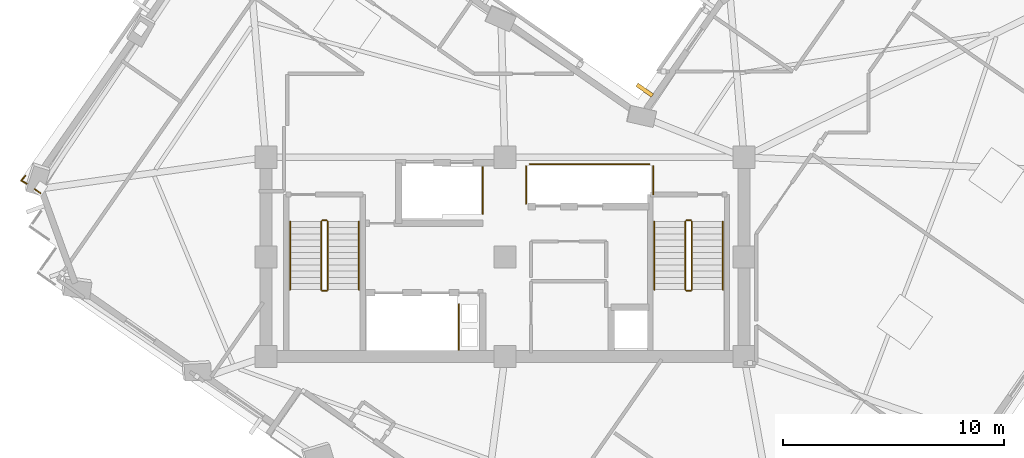
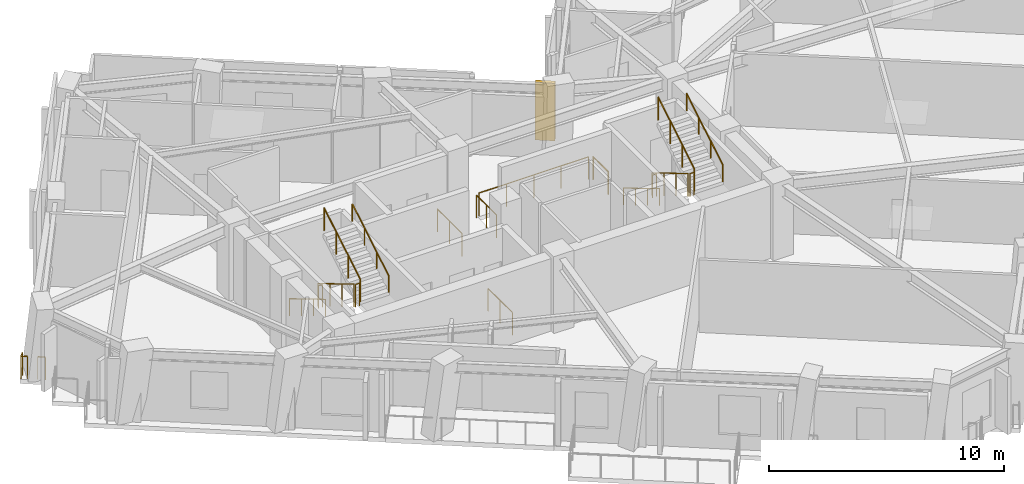
# One storey, part 9 of 12: 19 railings, 1 shading device.
"""IFC4 building model written with IfcOpenShell, lengths in metres."""

from ifc_helpers import new_model, si_unit, direction, frame, origin, origin_2d, place, context, subcontext, project, spatial, rectangle, circle, extrude, material, layer, layer_set, type_object, element, save


model = new_model("IFC4")

# Units and contexts
model_context = context("Model", 3, precision=1e-05, world=origin(), true_north=direction((0.0, 1.0)))
body_context = subcontext(model_context, "Body", "Model", "MODEL_VIEW")
ifc_project = project(units=[si_unit("LENGTHUNIT", "METRE"), si_unit("AREAUNIT", "SQUARE_METRE"), si_unit("VOLUMEUNIT", "CUBIC_METRE"), si_unit("PLANEANGLEUNIT", "RADIAN"), si_unit("MASSUNIT", "GRAM", prefix="KILO")], contexts=[model_context])

# Site, building, storey
site_placement = place(None, origin())
site = spatial("IfcSite", under=ifc_project, at=site_placement, CompositionType="ELEMENT")
building_placement = place(site_placement, origin())
building = spatial("IfcBuilding", under=site, at=building_placement, Name="Gaonmaruhae Medical Tower", CompositionType="ELEMENT")
storey_placement = place(building_placement, frame((0.0, 0.0, 259.199951171875)))
storey = spatial("IfcBuildingStorey", under=building, at=storey_placement, Name="L62", CompositionType="ELEMENT", Elevation=259.199951171875)

# Railings
ifc_material_1 = material(Name="Stainless steel 316L and laminated safety glass", Category="steel")
ifc_layer = layer(ifc_material_1, 0.080078125)
ifc_layer_set = layer_set([ifc_layer], Name="Stainless steel 316L and laminated safety glass")
railing_type_1 = type_object("IfcRailingType", Name="GD-120 Outdoor Terrace Safety Glass & Steel Balustrade", PredefinedType="BALUSTRADE", material=ifc_layer_set)
railing_1_placement = place(storey_placement, frame((3.819091796875, 15.1787109375, 0.0)))
element("IfcRailing", 1, at=railing_1_placement, inside=storey, type_object=railing_type_1, Name="L62 Perimeter Slab Edge Safety Balustrade 03", PredefinedType="BALUSTRADE", context=body_context, shape_type="SweptSolid", body=[
    extrude(circle(Radius=0.02392578125, at=origin_2d()), frame((0.0, 0.0, 1.17578125), z_axis=(-0.820249334301, 0.572006144704, 0.0), x_axis=(-0.572006144704, -0.820249334301, 0.0)), (0.0, 0.0, 1.0), 0.326416015625),
    extrude(circle(Radius=0.02099609375, at=origin_2d()), origin(), (0.0, 0.0, 1.0), 1.15185546875),
    extrude(circle(Radius=0.02099609375, at=origin_2d()), frame((-0.267822265625, 0.186767578125, 0.0)), (0.0, 0.0, 1.0), 1.15185546875),
])
railing_2_placement = place(storey_placement, frame((3.19580078125, 15.61328125, 0.0)))
element("IfcRailing", 2, at=railing_2_placement, inside=storey, type_object=railing_type_1, Name="L62 Perimeter Corner Safety Balustrade 18", PredefinedType="BALUSTRADE", context=body_context, shape_type="SweptSolid", body=[
    extrude(circle(Radius=0.02392578125, at=origin_2d()), frame((0.0, 0.0, 1.17578125), z_axis=(-0.883643202785, 0.468160966091, 0.0), x_axis=(-0.468160966091, -0.883643202785, 0.0)), (0.0, 0.0, 1.0), 0.287353515625),
    extrude(circle(Radius=0.02392578125, at=origin_2d()), frame((-0.25390625, 0.134521484375, 1.17578125), z_axis=(0.668259842647, 0.743927941877, 0.0), x_axis=(-0.743927941877, 0.668259842647, 0.0)), (0.0, 0.0, 1.0), 0.287109375),
    extrude(circle(Radius=0.02099609375, at=origin_2d()), origin(), (0.0, 0.0, 1.0), 1.15185546875),
    extrude(circle(Radius=0.02099609375, at=origin_2d()), frame((-0.25390625, 0.134521484375, 0.0)), (0.0, 0.0, 1.0), 1.15185546875),
    extrude(circle(Radius=0.02099609375, at=origin_2d()), frame((-0.06201171875, 0.34814453125, 0.0)), (0.0, 0.0, 1.0), 1.15185546875),
])
ifc_material_2 = material(Name="Stainless steel 304 handrail", Category="steel")
railing_type_2 = type_object("IfcRailingType", Name="HR-092 Continuous Stainless Steel Stair Handrail", PredefinedType="HANDRAIL", material=ifc_material_2)
railing_3_placement = place(storey_placement, frame((15.10009765625, 13.89990234375, 0.166748046875)))
element("IfcRailing", 3, at=railing_3_placement, inside=storey, type_object=railing_type_2, Name="L62 ST-01 stair handrail 1", PredefinedType="HANDRAIL", context=body_context, shape_type="SweptSolid", body=[
    extrude(circle(Radius=0.02392578125, at=origin_2d()), frame((0.0, 0.0, 0.8759765625), z_axis=(0.0, -0.859290745958, 0.51148745235), x_axis=(1.0, 0.0, 0.0)), (0.0, 0.0, 1.0), 3.584228515625),
    extrude(circle(Radius=0.02099609375, at=origin_2d()), origin(), (0.0, 0.0, 1.0), 0.851806640625),
    extrude(circle(Radius=0.02099609375, at=origin_2d()), frame((0.0, -1.026611328125, 0.611083984375)), (0.0, 0.0, 1.0), 0.851806640625),
    extrude(circle(Radius=0.02099609375, at=origin_2d()), frame((0.0, -2.05322265625, 1.22216796875)), (0.0, 0.0, 1.0), 0.851806640625),
    extrude(circle(Radius=0.02099609375, at=origin_2d()), frame((0.0, -3.079833984375, 1.833251953125)), (0.0, 0.0, 1.0), 0.851806640625),
])
railing_4_placement = place(storey_placement, frame((18.199951171875, 10.820068359375, 2.166748046875)))
element("IfcRailing", 4, at=railing_4_placement, inside=storey, type_object=railing_type_2, Name="L62 ST-01 stair handrail 2", PredefinedType="HANDRAIL", context=body_context, shape_type="SweptSolid", body=[
    extrude(circle(Radius=0.02392578125, at=origin_2d()), frame((0.0, 0.0, 0.8759765625), z_axis=(0.0, 0.859290745958, 0.51148745235), x_axis=(-1.0, 0.0, 0.0)), (0.0, 0.0, 1.0), 3.584228515625),
    extrude(circle(Radius=0.02099609375, at=origin_2d()), origin(), (0.0, 0.0, 1.0), 0.851806640625),
    extrude(circle(Radius=0.02099609375, at=origin_2d()), frame((0.0, 1.026611328125, 0.611083984375)), (0.0, 0.0, 1.0), 0.851806640625),
    extrude(circle(Radius=0.02099609375, at=origin_2d()), frame((0.0, 2.05322265625, 1.22216796875)), (0.0, 0.0, 1.0), 0.851806640625),
    extrude(circle(Radius=0.02099609375, at=origin_2d()), frame((0.0, 3.079833984375, 1.833251953125)), (0.0, 0.0, 1.0), 0.851806640625),
])
railing_5_placement = place(storey_placement, frame((31.550048828125, 13.89990234375, 0.166748046875)))
element("IfcRailing", 5, at=railing_5_placement, inside=storey, type_object=railing_type_2, Name="L62 ST-02 stair handrail 1", PredefinedType="HANDRAIL", context=body_context, shape_type="SweptSolid", body=[
    extrude(circle(Radius=0.02392578125, at=origin_2d()), frame((0.0, 0.0, 0.8759765625), z_axis=(0.0, -0.859290745958, 0.51148745235), x_axis=(1.0, 0.0, 0.0)), (0.0, 0.0, 1.0), 3.584228515625),
    extrude(circle(Radius=0.02099609375, at=origin_2d()), origin(), (0.0, 0.0, 1.0), 0.851806640625),
    extrude(circle(Radius=0.02099609375, at=origin_2d()), frame((0.0, -1.026611328125, 0.611083984375)), (0.0, 0.0, 1.0), 0.851806640625),
    extrude(circle(Radius=0.02099609375, at=origin_2d()), frame((0.0, -2.05322265625, 1.22216796875)), (0.0, 0.0, 1.0), 0.851806640625),
    extrude(circle(Radius=0.02099609375, at=origin_2d()), frame((0.0, -3.079833984375, 1.833251953125)), (0.0, 0.0, 1.0), 0.851806640625),
])
railing_6_placement = place(storey_placement, frame((34.64990234375, 10.820068359375, 2.166748046875)))
element("IfcRailing", 6, at=railing_6_placement, inside=storey, type_object=railing_type_2, Name="L62 ST-02 stair handrail 2", PredefinedType="HANDRAIL", context=body_context, shape_type="SweptSolid", body=[
    extrude(circle(Radius=0.02392578125, at=origin_2d()), frame((0.0, 0.0, 0.8759765625), z_axis=(0.0, 0.859290745958, 0.51148745235), x_axis=(-1.0, 0.0, 0.0)), (0.0, 0.0, 1.0), 3.584228515625),
    extrude(circle(Radius=0.02099609375, at=origin_2d()), origin(), (0.0, 0.0, 1.0), 0.851806640625),
    extrude(circle(Radius=0.02099609375, at=origin_2d()), frame((0.0, 1.026611328125, 0.611083984375)), (0.0, 0.0, 1.0), 0.851806640625),
    extrude(circle(Radius=0.02099609375, at=origin_2d()), frame((0.0, 2.05322265625, 1.22216796875)), (0.0, 0.0, 1.0), 0.851806640625),
    extrude(circle(Radius=0.02099609375, at=origin_2d()), frame((0.0, 3.079833984375, 1.833251953125)), (0.0, 0.0, 1.0), 0.851806640625),
])

# Shading device
ifc_material_3 = material(Name="Pigmented coral precast concrete C45/55", Category="concrete")
shading_device_type = type_object("IfcShadingDeviceType", Name="SD-FIN1 Tower Vertical Coral Precast Shading Fin", PredefinedType="USERDEFINED", material=ifc_material_3)
shading_device_placement = place(storey_placement, frame((31.116455078125, 19.8330078125, 0.132568359375), z_axis=(0.0, 0.0, 1.0), x_axis=(0.572145873446, 0.820151875874, 0.0)))
element("IfcShadingDevice", 7, at=shading_device_placement, inside=storey, type_object=shading_device_type, Name="L62 Vertical Coral Precast Shading Fin EN02", ObjectType="FIN", PredefinedType="USERDEFINED", context=body_context, shape_type="SweptSolid", body=[
    extrude(rectangle(XDim=0.179931640625, YDim=0.85009765625, at=origin_2d()), origin(), (0.0, 0.0, 1.0), 3.0),
])

# Railings
ifc_material_4 = material(Name="Stainless steel 304 balustrade", Category="steel")
railing_type_3 = type_object("IfcRailingType", Name="SG-112 Stair Well & Ramp Void Safety Balustrade", PredefinedType="BALUSTRADE", material=ifc_material_4)
railing_7_placement = place(storey_placement, frame((16.5, 13.89990234375, 0.166748046875)))
element("IfcRailing", 8, at=railing_7_placement, inside=storey, type_object=railing_type_3, Name="L62 ST-01 stair guard 1", PredefinedType="BALUSTRADE", context=body_context, shape_type="SweptSolid", body=[
    extrude(circle(Radius=0.02392578125, at=origin_2d()), frame((0.0, 0.0, 1.17578125), z_axis=(0.0, -0.859290745958, 0.51148745235), x_axis=(1.0, 0.0, 0.0)), (0.0, 0.0, 1.0), 3.584228515625),
    extrude(circle(Radius=0.02099609375, at=origin_2d()), origin(), (0.0, 0.0, 1.0), 1.15185546875),
    extrude(circle(Radius=0.02099609375, at=origin_2d()), frame((0.0, -1.026611328125, 0.611083984375)), (0.0, 0.0, 1.0), 1.15185546875),
    extrude(circle(Radius=0.02099609375, at=origin_2d()), frame((0.0, -2.05322265625, 1.22216796875)), (0.0, 0.0, 1.0), 1.15185546875),
    extrude(circle(Radius=0.02099609375, at=origin_2d()), frame((0.0, -3.079833984375, 1.833251953125)), (0.0, 0.0, 1.0), 1.15185546875),
])
railing_8_placement = place(storey_placement, frame((16.550048828125, 10.77001953125, 2.0)))
element("IfcRailing", 9, at=railing_8_placement, inside=storey, type_object=railing_type_3, Name="L62 ST-01 stair guard 2", PredefinedType="BALUSTRADE", context=body_context, shape_type="SweptSolid", body=[
    extrude(circle(Radius=0.02392578125, at=origin_2d()), frame((0.0, 0.0, 1.17578125), z_axis=(1.0, 0.0, 0.0), x_axis=(0.0, 1.0, 0.0)), (0.0, 0.0, 1.0), 0.199951171875),
    extrude(circle(Radius=0.02099609375, at=origin_2d()), origin(), (0.0, 0.0, 1.0), 1.15185546875),
    extrude(circle(Radius=0.02099609375, at=origin_2d()), frame((0.199951171875, 0.0, 0.0)), (0.0, 0.0, 1.0), 1.15185546875),
])
railing_9_placement = place(storey_placement, frame((16.800048828125, 10.820068359375, 2.166748046875)))
element("IfcRailing", 10, at=railing_9_placement, inside=storey, type_object=railing_type_3, Name="L62 ST-01 stair guard 3", PredefinedType="BALUSTRADE", context=body_context, shape_type="SweptSolid", body=[
    extrude(circle(Radius=0.02392578125, at=origin_2d()), frame((0.0, 0.0, 1.17578125), z_axis=(0.0, 0.859290745958, 0.51148745235), x_axis=(-1.0, 0.0, 0.0)), (0.0, 0.0, 1.0), 3.584228515625),
    extrude(circle(Radius=0.02099609375, at=origin_2d()), origin(), (0.0, 0.0, 1.0), 1.15185546875),
    extrude(circle(Radius=0.02099609375, at=origin_2d()), frame((0.0, 1.026611328125, 0.611083984375)), (0.0, 0.0, 1.0), 1.15185546875),
    extrude(circle(Radius=0.02099609375, at=origin_2d()), frame((0.0, 2.05322265625, 1.22216796875)), (0.0, 0.0, 1.0), 1.15185546875),
    extrude(circle(Radius=0.02099609375, at=origin_2d()), frame((0.0, 3.079833984375, 1.833251953125)), (0.0, 0.0, 1.0), 1.15185546875),
])
railing_10_placement = place(storey_placement, frame((16.550048828125, 13.949951171875, 0.0)))
element("IfcRailing", 11, at=railing_10_placement, inside=storey, type_object=railing_type_3, Name="L62 ST-01 stair guard 4", PredefinedType="BALUSTRADE", context=body_context, shape_type="SweptSolid", body=[
    extrude(circle(Radius=0.02392578125, at=origin_2d()), frame((0.0, 0.0, 1.17578125), z_axis=(1.0, 0.0, 0.0), x_axis=(0.0, 1.0, 0.0)), (0.0, 0.0, 1.0), 0.199951171875),
    extrude(circle(Radius=0.02099609375, at=origin_2d()), origin(), (0.0, 0.0, 1.0), 1.15185546875),
    extrude(circle(Radius=0.02099609375, at=origin_2d()), frame((0.199951171875, 0.0, 0.0)), (0.0, 0.0, 1.0), 1.15185546875),
])
railing_11_placement = place(storey_placement, frame((32.949951171875, 13.89990234375, 0.166748046875)))
element("IfcRailing", 12, at=railing_11_placement, inside=storey, type_object=railing_type_3, Name="L62 ST-02 stair guard 1", PredefinedType="BALUSTRADE", context=body_context, shape_type="SweptSolid", body=[
    extrude(circle(Radius=0.02392578125, at=origin_2d()), frame((0.0, 0.0, 1.17578125), z_axis=(0.0, -0.859290745958, 0.51148745235), x_axis=(1.0, 0.0, 0.0)), (0.0, 0.0, 1.0), 3.584228515625),
    extrude(circle(Radius=0.02099609375, at=origin_2d()), origin(), (0.0, 0.0, 1.0), 1.15185546875),
    extrude(circle(Radius=0.02099609375, at=origin_2d()), frame((0.0, -1.026611328125, 0.611083984375)), (0.0, 0.0, 1.0), 1.15185546875),
    extrude(circle(Radius=0.02099609375, at=origin_2d()), frame((0.0, -2.05322265625, 1.22216796875)), (0.0, 0.0, 1.0), 1.15185546875),
    extrude(circle(Radius=0.02099609375, at=origin_2d()), frame((0.0, -3.079833984375, 1.833251953125)), (0.0, 0.0, 1.0), 1.15185546875),
])
railing_12_placement = place(storey_placement, frame((33.0, 10.77001953125, 2.0)))
element("IfcRailing", 13, at=railing_12_placement, inside=storey, type_object=railing_type_3, Name="L62 ST-02 stair guard 2", PredefinedType="BALUSTRADE", context=body_context, shape_type="SweptSolid", body=[
    extrude(circle(Radius=0.02392578125, at=origin_2d()), frame((0.0, 0.0, 1.17578125), z_axis=(1.0, 0.0, 0.0), x_axis=(0.0, 1.0, 0.0)), (0.0, 0.0, 1.0), 0.199951171875),
    extrude(circle(Radius=0.02099609375, at=origin_2d()), origin(), (0.0, 0.0, 1.0), 1.15185546875),
    extrude(circle(Radius=0.02099609375, at=origin_2d()), frame((0.199951171875, 0.0, 0.0)), (0.0, 0.0, 1.0), 1.15185546875),
])
railing_13_placement = place(storey_placement, frame((33.25, 10.820068359375, 2.166748046875)))
element("IfcRailing", 14, at=railing_13_placement, inside=storey, type_object=railing_type_3, Name="L62 ST-02 stair guard 3", PredefinedType="BALUSTRADE", context=body_context, shape_type="SweptSolid", body=[
    extrude(circle(Radius=0.02392578125, at=origin_2d()), frame((0.0, 0.0, 1.17578125), z_axis=(0.0, 0.859290745958, 0.51148745235), x_axis=(-1.0, 0.0, 0.0)), (0.0, 0.0, 1.0), 3.584228515625),
    extrude(circle(Radius=0.02099609375, at=origin_2d()), origin(), (0.0, 0.0, 1.0), 1.15185546875),
    extrude(circle(Radius=0.02099609375, at=origin_2d()), frame((0.0, 1.026611328125, 0.611083984375)), (0.0, 0.0, 1.0), 1.15185546875),
    extrude(circle(Radius=0.02099609375, at=origin_2d()), frame((0.0, 2.05322265625, 1.22216796875)), (0.0, 0.0, 1.0), 1.15185546875),
    extrude(circle(Radius=0.02099609375, at=origin_2d()), frame((0.0, 3.079833984375, 1.833251953125)), (0.0, 0.0, 1.0), 1.15185546875),
])
railing_14_placement = place(storey_placement, frame((33.0, 13.949951171875, 0.0)))
element("IfcRailing", 15, at=railing_14_placement, inside=storey, type_object=railing_type_3, Name="L62 ST-02 stair guard 4", PredefinedType="BALUSTRADE", context=body_context, shape_type="SweptSolid", body=[
    extrude(circle(Radius=0.02392578125, at=origin_2d()), frame((0.0, 0.0, 1.17578125), z_axis=(1.0, 0.0, 0.0), x_axis=(0.0, 1.0, 0.0)), (0.0, 0.0, 1.0), 0.199951171875),
    extrude(circle(Radius=0.02099609375, at=origin_2d()), origin(), (0.0, 0.0, 1.0), 1.15185546875),
    extrude(circle(Radius=0.02099609375, at=origin_2d()), frame((0.199951171875, 0.0, 0.0)), (0.0, 0.0, 1.0), 1.15185546875),
])
railing_15_placement = place(storey_placement, frame((22.719970703125, 10.159912109375, 0.0)))
element("IfcRailing", 16, at=railing_15_placement, inside=storey, type_object=railing_type_3, Name="L62 Shaft Edge Safety Guard 21", PredefinedType="BALUSTRADE", context=body_context, shape_type="SweptSolid", body=[
    extrude(circle(Radius=0.02392578125, at=origin_2d()), frame((0.0, 0.0, 1.17578125), z_axis=(0.0, -1.0, 0.0), x_axis=(1.0, 0.0, 0.0)), (0.0, 0.0, 1.0), 2.06494140625),
    extrude(circle(Radius=0.02099609375, at=origin_2d()), origin(), (0.0, 0.0, 1.0), 1.15185546875),
    extrude(circle(Radius=0.02099609375, at=origin_2d()), frame((0.0, -1.032470703125, 0.0)), (0.0, 0.0, 1.0), 1.15185546875),
    extrude(circle(Radius=0.02099609375, at=origin_2d()), frame((0.0, -2.06494140625, 0.0)), (0.0, 0.0, 1.0), 1.15185546875),
])
railing_16_placement = place(storey_placement, frame((23.794921875, 16.35498046875, 0.0)))
element("IfcRailing", 17, at=railing_16_placement, inside=storey, type_object=railing_type_3, Name="L62 Shaft Edge Safety Guard 22", PredefinedType="BALUSTRADE", context=body_context, shape_type="SweptSolid", body=[
    extrude(circle(Radius=0.02392578125, at=origin_2d()), frame((0.0, 0.0, 1.17578125), z_axis=(0.0, -1.0, 0.0), x_axis=(1.0, 0.0, 0.0)), (0.0, 0.0, 1.0), 2.10986328125),
    extrude(circle(Radius=0.02099609375, at=origin_2d()), origin(), (0.0, 0.0, 1.0), 1.15185546875),
    extrude(circle(Radius=0.02099609375, at=origin_2d()), frame((0.0, -1.054931640625, 0.0)), (0.0, 0.0, 1.0), 1.15185546875),
    extrude(circle(Radius=0.02099609375, at=origin_2d()), frame((0.0, -2.10986328125, 0.0)), (0.0, 0.0, 1.0), 1.15185546875),
])
railing_17_placement = place(storey_placement, frame((31.4951171875, 16.405029296875, 0.0)))
element("IfcRailing", 18, at=railing_17_placement, inside=storey, type_object=railing_type_3, Name="L62 Shaft Edge Safety Guard 23", PredefinedType="BALUSTRADE", context=body_context, shape_type="SweptSolid", body=[
    extrude(circle(Radius=0.02392578125, at=origin_2d()), frame((0.0, 0.0, 1.17578125), z_axis=(0.0, -1.0, 0.0), x_axis=(1.0, 0.0, 0.0)), (0.0, 0.0, 1.0), 1.284912109375),
    extrude(circle(Radius=0.02099609375, at=origin_2d()), origin(), (0.0, 0.0, 1.0), 1.15185546875),
    extrude(circle(Radius=0.02099609375, at=origin_2d()), frame((0.0, -1.284912109375, 0.0)), (0.0, 0.0, 1.0), 1.15185546875),
])
railing_18_placement = place(storey_placement, frame((25.7548828125, 14.695068359375, 0.0)))
element("IfcRailing", 19, at=railing_18_placement, inside=storey, type_object=railing_type_3, Name="L62 Shaft Edge Safety Guard 24", PredefinedType="BALUSTRADE", context=body_context, shape_type="SweptSolid", body=[
    extrude(circle(Radius=0.02392578125, at=origin_2d()), frame((0.0, 0.0, 1.17578125), z_axis=(0.0, 1.0, 0.0), x_axis=(-1.0, 0.0, 0.0)), (0.0, 0.0, 1.0), 1.7099609375),
    extrude(circle(Radius=0.02099609375, at=origin_2d()), origin(), (0.0, 0.0, 1.0), 1.15185546875),
    extrude(circle(Radius=0.02099609375, at=origin_2d()), frame((0.0, 0.85498046875, 0.0)), (0.0, 0.0, 1.0), 1.15185546875),
    extrude(circle(Radius=0.02099609375, at=origin_2d()), frame((0.0, 1.7099609375, 0.0)), (0.0, 0.0, 1.0), 1.15185546875),
])
railing_19_placement = place(storey_placement, frame((25.919921875, 16.4951171875, 0.0)))
element("IfcRailing", 20, at=railing_19_placement, inside=storey, type_object=railing_type_3, Name="L62 Shaft Edge Safety Guard 25", PredefinedType="BALUSTRADE", context=body_context, shape_type="SweptSolid", body=[
    extrude(circle(Radius=0.02392578125, at=origin_2d()), frame((0.0, 0.0, 1.17578125), z_axis=(1.0, 0.0, 0.0), x_axis=(0.0, 1.0, 0.0)), (0.0, 0.0, 1.0), 5.41015625),
    extrude(circle(Radius=0.02099609375, at=origin_2d()), origin(), (0.0, 0.0, 1.0), 1.15185546875),
    extrude(circle(Radius=0.02099609375, at=origin_2d()), frame((1.3525390625, 0.0, 0.0)), (0.0, 0.0, 1.0), 1.15185546875),
    extrude(circle(Radius=0.02099609375, at=origin_2d()), frame((2.705078125, 0.0, 0.0)), (0.0, 0.0, 1.0), 1.15185546875),
    extrude(circle(Radius=0.02099609375, at=origin_2d()), frame((4.0576171875, 0.0, 0.0)), (0.0, 0.0, 1.0), 1.15185546875),
    extrude(circle(Radius=0.02099609375, at=origin_2d()), frame((5.41015625, 0.0, 0.0)), (0.0, 0.0, 1.0), 1.15185546875),
])

save(model, "model.ifc")
